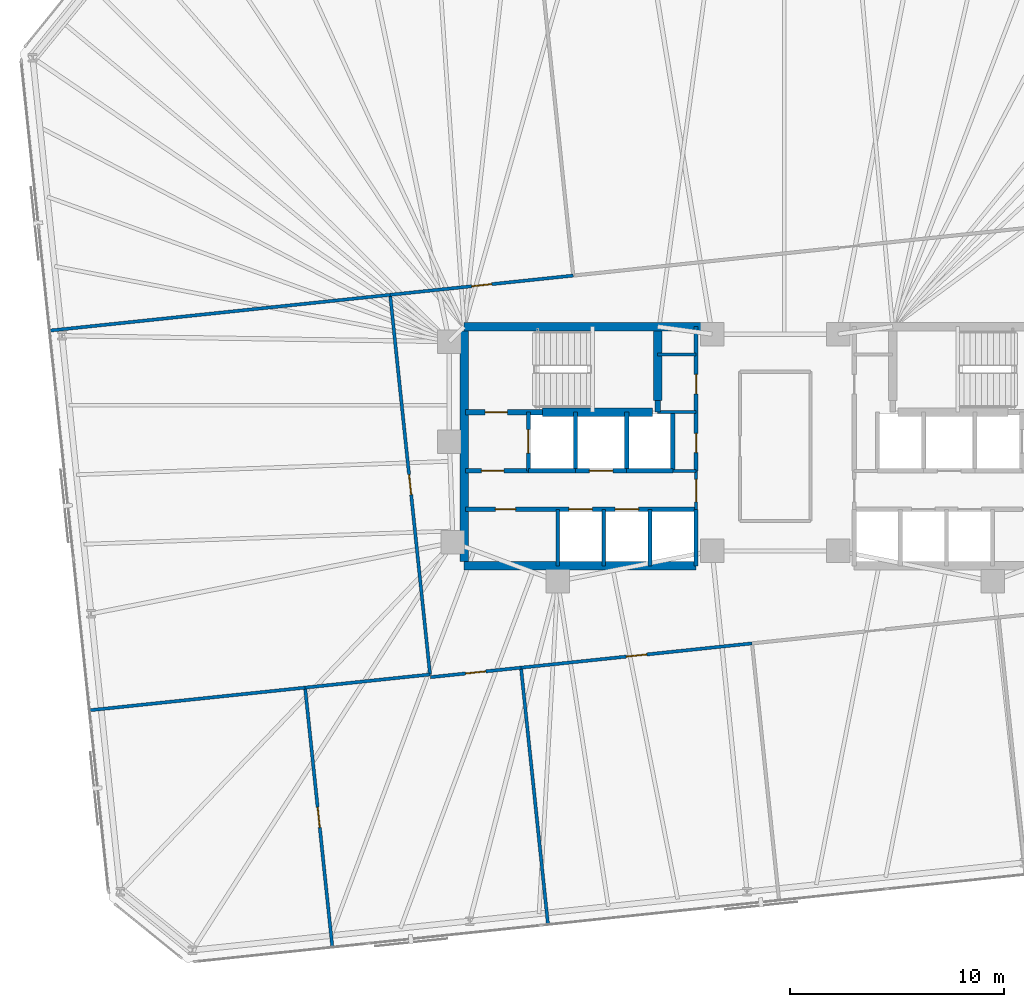
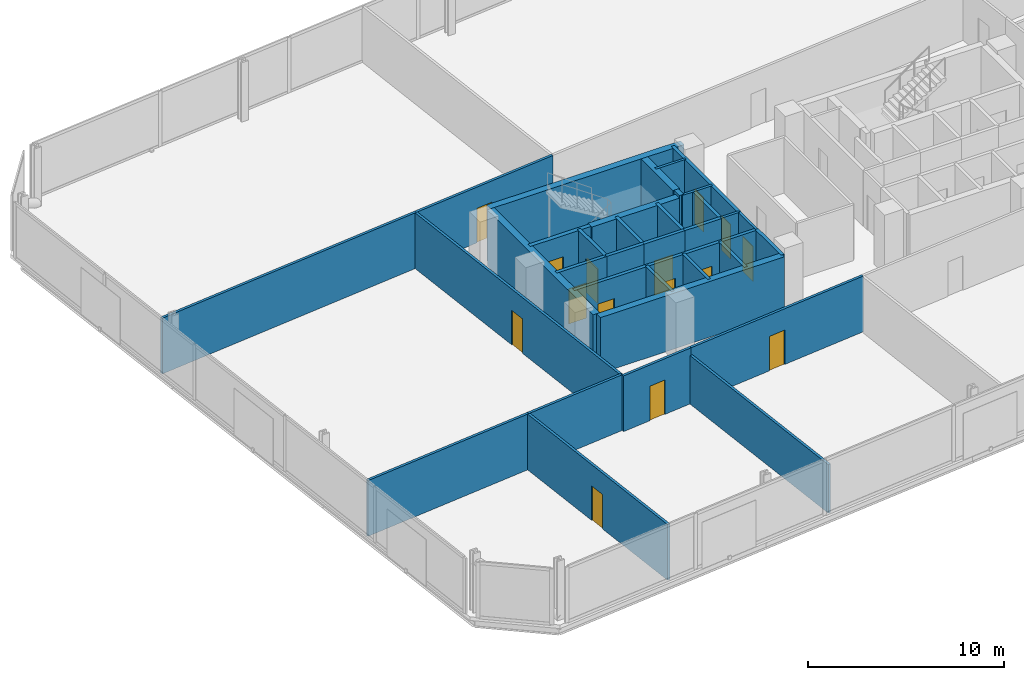
# One storey, part 14 of 18: 34 walls, 15 doors, 15 openings.
"""IFC4 building model written with IfcOpenShell, lengths in metres."""

from ifc_helpers import new_model, si_unit, direction, frame, frame_2d, origin, place, context, subcontext, project, spatial, rectangle, extrude, material, layer, layer_set, type_object, element, fill, save


model = new_model("IFC4")

# Units and contexts
model_context = context("Model", 3, precision=1e-05, world=origin(), true_north=direction((0.0, 1.0)))
body_context = subcontext(model_context, "Body", "Model", "MODEL_VIEW")
ifc_project = project(units=[si_unit("LENGTHUNIT", "METRE"), si_unit("AREAUNIT", "SQUARE_METRE"), si_unit("VOLUMEUNIT", "CUBIC_METRE"), si_unit("PLANEANGLEUNIT", "RADIAN"), si_unit("MASSUNIT", "GRAM", prefix="KILO")], contexts=[model_context])

# Site, building, storey
site_placement = place(None, origin())
site = spatial("IfcSite", under=ifc_project, at=site_placement, CompositionType="ELEMENT")
building_placement = place(site_placement, origin())
building = spatial("IfcBuilding", under=site, at=building_placement, Name="Menara Jurai Vektor", CompositionType="ELEMENT")
storey_placement = place(building_placement, frame((0.0, 0.0, 124.39990234375)))
storey = spatial("IfcBuildingStorey", under=building, at=storey_placement, Name="L31", CompositionType="ELEMENT", Elevation=124.39990234375)

# Wall, opening, door
ifc_material_1 = material(Name="Concrete C40/50", Category="concrete")
ifc_layer_1 = layer(ifc_material_1, 0.25)
ifc_layer_set_1 = layer_set([ifc_layer_1], Name="Concrete C40/50")
wall_type_1 = type_object("IfcWallType", Name="INT-WALL-CORE-250", PredefinedType="STANDARD", material=ifc_layer_set_1)
wall_1_placement = place(storey_placement, frame((-14.5, 1.60009765625, 0.0), z_axis=(0.0, 0.0, 1.0), x_axis=(1.0, 0.0, 0.0)))
wall_1 = element("IfcWall", 1, at=wall_1_placement, inside=storey, type_object=wall_type_1, Name="Interior Wall IW-250 L31", PredefinedType="STANDARD", context=body_context, shape_type="SweptSolid", body=[
    extrude(rectangle(XDim=3.60009765625, YDim=0.25, at=frame_2d((1.800048828125, 0.0))), origin(), (0.0, 0.0, 1.0), 3.47509765625),
])
opening_1_placement = place(wall_1_placement, frame((0.919921875, 0.0, 0.0)))
opening_1 = element("IfcOpeningElement", 2, at=opening_1_placement, cuts=wall_1, Name="Opening D-L31-ST1", PredefinedType="OPENING", context=body_context, shape_type="SweptSolid", body=[
    extrude(rectangle(XDim=1.050048828125, YDim=2.14990234375, at=frame_2d((0.52490234375, 1.074951171875))), frame((0.0, 0.135009765625, 0.0), z_axis=(0.0, -1.0, 0.0), x_axis=(1.0, 0.0, 0.0)), (0.0, 0.0, 1.0), 0.27001953125),
])
ifc_material_2 = material(Name="Fire-Rated Steel Door", Category="steel")
door_type_1 = type_object("IfcDoorType", Name="DR-STAIR-1050", OperationType="NOTDEFINED", PredefinedType="DOOR", material=ifc_material_2)
door_1_placement = place(opening_1_placement, origin())
door_1 = element("IfcDoor", 3, at=door_1_placement, inside=storey, type_object=door_type_1, Name="Exit Stair ST1 Door L31", OperationType="SINGLE_SWING_RIGHT", OverallHeight=2.14990234375, OverallWidth=1.050048828125, PredefinedType="DOOR", context=body_context, shape_type="SweptSolid", body=[
    extrude(rectangle(XDim=1.050048828125, YDim=2.14990234375, at=frame_2d((0.52490234375, 1.074951171875))), frame((0.0, 0.02490234375, 0.0), z_axis=(0.0, -1.0, 0.0), x_axis=(1.0, 0.0, 0.0)), (0.0, 0.0, 1.0), 0.050048828125),
])
fill(opening_1, door_1)

# Wall
wall_2_placement = place(storey_placement, frame((-5.5, 1.60009765625, 0.0), z_axis=(0.0, 0.0, 1.0), x_axis=(0.0, 1.0, 0.0)))
element("IfcWall", 4, at=wall_2_placement, inside=storey, type_object=wall_type_1, Name="Interior Wall IW-250 L31", PredefinedType="STANDARD", context=body_context, shape_type="SweptSolid", body=[
    extrude(rectangle(XDim=0.5498046875, YDim=0.25, at=frame_2d((0.27490234375, 0.0))), origin(), (0.0, 0.0, 1.0), 3.47509765625),
])

# Wall, opening, door
wall_3_placement = place(storey_placement, frame((-11.550048828125, -1.14990234375, 0.0), z_axis=(0.0, 0.0, 1.0), x_axis=(0.0, 1.0, 0.0)))
wall_3 = element("IfcWall", 5, at=wall_3_placement, inside=storey, type_object=wall_type_1, Name="Interior Wall IW-250 L31", PredefinedType="STANDARD", context=body_context, shape_type="SweptSolid", body=[
    extrude(rectangle(XDim=2.75, YDim=0.199951171875, at=frame_2d((1.375, 0.0))), origin(), (0.0, 0.0, 1.0), 3.47509765625),
])
opening_2_placement = place(wall_3_placement, frame((0.824951171875, 0.0, 0.0)))
opening_2 = element("IfcOpeningElement", 6, at=opening_2_placement, cuts=wall_3, Name="Opening LD-L31-FL1", PredefinedType="OPENING", context=body_context, shape_type="SweptSolid", body=[
    extrude(rectangle(XDim=1.10009765625, YDim=2.14990234375, at=frame_2d((0.550048828125, 1.074951171875))), frame((0.0, 0.10986328125, 0.0), z_axis=(0.0, -1.0, 0.0), x_axis=(1.0, 0.0, 0.0)), (0.0, 0.0, 1.0), 0.219970703125),
])
ifc_material_3 = material(Name="Stainless Steel Sliding Lift Landing Door", Category="steel")
door_type_2 = type_object("IfcDoorType", Name="DR-LIFT-FIRE-1100", OperationType="NOTDEFINED", PredefinedType="DOOR", material=ifc_material_3)
door_2_placement = place(opening_2_placement, origin())
door_2 = element("IfcDoor", 7, at=door_2_placement, inside=storey, type_object=door_type_2, Name="Lift Landing Door FL1 L31", OperationType="SLIDING_TO_RIGHT", OverallHeight=2.14990234375, OverallWidth=1.10009765625, PredefinedType="DOOR", context=body_context, shape_type="SweptSolid", body=[
    extrude(rectangle(XDim=1.10009765625, YDim=2.14990234375, at=frame_2d((0.550048828125, 1.074951171875))), frame((0.0, 0.02490234375, 0.0), z_axis=(0.0, -1.0, 0.0), x_axis=(1.0, 0.0, 0.0)), (0.0, 0.0, 1.0), 0.050048828125),
])
fill(opening_2, door_2)

# Wall
wall_4_placement = place(storey_placement, frame((-9.35009765625, -1.14990234375, 0.0), z_axis=(0.0, 0.0, 1.0), x_axis=(0.0, 1.0, 0.0)))
element("IfcWall", 8, at=wall_4_placement, inside=storey, type_object=wall_type_1, Name="Interior Wall IW-250 L31", PredefinedType="STANDARD", context=body_context, shape_type="SweptSolid", body=[
    extrude(rectangle(XDim=2.75, YDim=0.199951171875, at=frame_2d((1.375, 0.0))), origin(), (0.0, 0.0, 1.0), 3.47509765625),
])

# Wall, opening, door
wall_5_placement = place(storey_placement, frame((-14.5, -1.14990234375, 0.0), z_axis=(0.0, 0.0, 1.0), x_axis=(1.0, 0.0, 0.0)))
wall_5 = element("IfcWall", 9, at=wall_5_placement, inside=storey, type_object=wall_type_1, Name="Interior Wall IW-250 L31", PredefinedType="STANDARD", context=body_context, shape_type="SweptSolid", body=[
    extrude(rectangle(XDim=2.949951171875, YDim=0.199951171875, at=frame_2d((1.47509765625, 0.0))), origin(), (0.0, 0.0, 1.0), 3.47509765625),
])
opening_3_placement = place(wall_5_placement, frame((0.75, 0.0, 0.0)))
opening_3 = element("IfcOpeningElement", 10, at=opening_3_placement, cuts=wall_5, Name="Opening D-L31-FFW", PredefinedType="OPENING", context=body_context, shape_type="SweptSolid", body=[
    extrude(rectangle(XDim=1.050048828125, YDim=2.179931640625, at=frame_2d((0.52490234375, 1.08984375))), frame((0.0, 0.10986328125, 0.0), z_axis=(0.0, -1.0, 0.0), x_axis=(1.0, 0.0, 0.0)), (0.0, 0.0, 1.0), 0.219970703125),
])
ifc_material_4 = material(Name="Fire-Rated Timber Door", Category="wood")
door_type_3 = type_object("IfcDoorType", Name="DR-LOBBY-1050", OperationType="NOTDEFINED", PredefinedType="DOOR", material=ifc_material_4)
door_3_placement = place(opening_3_placement, origin())
door_3 = element("IfcDoor", 11, at=door_3_placement, inside=storey, type_object=door_type_3, Name="Fire Lift Lobby Door W L31", OperationType="SINGLE_SWING_RIGHT", OverallHeight=2.179931640625, OverallWidth=1.050048828125, PredefinedType="DOOR", context=body_context, shape_type="SweptSolid", body=[
    extrude(rectangle(XDim=1.050048828125, YDim=2.179931640625, at=frame_2d((0.52490234375, 1.08984375))), frame((0.0, 0.02490234375, 0.0), z_axis=(0.0, -1.0, 0.0), x_axis=(1.0, 0.0, 0.0)), (0.0, 0.0, 1.0), 0.050048828125),
])
fill(opening_3, door_3)

# Wall
wall_6_placement = place(storey_placement, frame((-11.550048828125, -1.14990234375, 0.0), z_axis=(0.0, 0.0, 1.0), x_axis=(1.0, 0.0, 0.0)))
element("IfcWall", 12, at=wall_6_placement, inside=storey, type_object=wall_type_1, Name="Interior Wall IW-250 L31", PredefinedType="STANDARD", context=body_context, shape_type="SweptSolid", body=[
    extrude(rectangle(XDim=2.199951171875, YDim=0.199951171875, at=frame_2d((1.10009765625, 0.0))), origin(), (0.0, 0.0, 1.0), 3.47509765625),
])

# Wall, opening, door
ifc_material_5 = material(Name="Gypsum Fireboard Partition", Category="gypsum")
ifc_layer_2 = layer(ifc_material_5, 0.14990234375)
ifc_layer_set_2 = layer_set([ifc_layer_2], Name="Gypsum Fireboard Partition")
wall_type_2 = type_object("IfcWallType", Name="INT-WALL-CORR-150", PredefinedType="PARTITIONING", material=ifc_layer_set_2)
wall_7_placement = place(storey_placement, frame((-3.699951171875, -2.949951171875, 0.0), z_axis=(0.0, 0.0, 1.0), x_axis=(0.0, 1.0, 0.0)))
wall_7 = element("IfcWall", 13, at=wall_7_placement, inside=storey, type_object=wall_type_2, Name="Interior Wall IW-150 L31", PredefinedType="PARTITIONING", context=body_context, shape_type="SweptSolid", body=[
    extrude(rectangle(XDim=1.800048828125, YDim=0.14990234375, at=frame_2d((0.89990234375, 0.0))), origin(), (0.0, 0.0, 1.0), 3.47509765625),
])
opening_4_placement = place(wall_7_placement, frame((0.35009765625, 0.0, 0.0)))
opening_4 = element("IfcOpeningElement", 14, at=opening_4_placement, cuts=wall_7, Name="Opening D-L31-LLW", PredefinedType="OPENING", context=body_context, shape_type="SweptSolid", body=[
    extrude(rectangle(XDim=1.050048828125, YDim=2.179931640625, at=frame_2d((0.52490234375, 1.08984375))), frame((0.0, 0.0849609375, 0.0), z_axis=(0.0, -1.0, 0.0), x_axis=(1.0, 0.0, 0.0)), (0.0, 0.0, 1.0), 0.169921875),
])
door_4_placement = place(opening_4_placement, origin())
door_4 = element("IfcDoor", 15, at=door_4_placement, inside=storey, type_object=door_type_3, Name="Lift Lobby Corridor Door W L31", OperationType="SINGLE_SWING_LEFT", OverallHeight=2.179931640625, OverallWidth=1.050048828125, PredefinedType="DOOR", context=body_context, shape_type="SweptSolid", body=[
    extrude(rectangle(XDim=1.050048828125, YDim=2.179931640625, at=frame_2d((0.52490234375, 1.08984375))), frame((0.0, 0.02490234375, 0.0), z_axis=(0.0, -1.0, 0.0), x_axis=(1.0, 0.0, 0.0)), (0.0, 0.0, 1.0), 0.050048828125),
])
fill(opening_4, door_4)

# Walls
wall_8_placement = place(storey_placement, frame((-4.7900390625, -1.14990234375, 0.0), z_axis=(0.0, 0.0, 1.0), x_axis=(1.0, 0.0, 0.0)))
element("IfcWall", 16, at=wall_8_placement, inside=storey, type_object=wall_type_2, Name="Interior Wall IW-150 L31", PredefinedType="PARTITIONING", context=body_context, shape_type="SweptSolid", body=[
    extrude(rectangle(XDim=1.090087890625, YDim=0.14990234375, at=frame_2d((0.544921875, 0.0))), origin(), (0.0, 0.0, 1.0), 3.47509765625),
])
for number, where, z_axis, x_axis, name in (
    (17, (-5.5, 4.300048828125, 0.0), (0.0, 0.0, 1.0), (1.0, 0.0, 0.0), "Interior Wall IW-150 L31"),
    (18, (-5.5, 1.60009765625, 0.0), (0.0, 0.0, 1.0), (1.0, 0.0, 0.0), "Interior Wall IW-150 L31"),
):
    element("IfcWall", number, at=place(storey_placement, frame(where, z_axis=z_axis, x_axis=x_axis)), inside=storey, type_object=wall_type_2, Name=name, PredefinedType="PARTITIONING", context=body_context, shape_type="SweptSolid", body=[
        extrude(rectangle(XDim=1.800048828125, YDim=0.14990234375, at=frame_2d((0.89990234375, 0.0))), origin(), (0.0, 0.0, 1.0), 3.47509765625),
    ])

# Wall, opening, door
wall_9_placement = place(storey_placement, frame((-18.021240234375, 7.09033203125, 0.0), z_axis=(0.0, 0.0, 1.0), x_axis=(0.994522981742, 0.104518126592, 0.0)))
wall_9 = element("IfcWall", 19, at=wall_9_placement, inside=storey, type_object=wall_type_2, Name="Interior Wall IW-150 L31", PredefinedType="PARTITIONING", context=body_context, shape_type="SweptSolid", body=[
    extrude(rectangle(XDim=8.616943359375, YDim=0.14990234375, at=frame_2d((4.30859375, 0.0))), origin(), (0.0, 0.0, 1.0), 3.47509765625),
])
opening_5_placement = place(wall_9_placement, frame((3.83349609375, 0.0, 0.0)))
opening_5 = element("IfcOpeningElement", 20, at=opening_5_placement, cuts=wall_9, Name="Opening D31-07", PredefinedType="OPENING", context=body_context, shape_type="SweptSolid", body=[
    extrude(rectangle(XDim=0.949951171875, YDim=2.14990234375, at=frame_2d((0.47509765625, 1.074951171875))), frame((0.0, 0.0849609375, 0.0), z_axis=(0.0, -1.0, 0.0), x_axis=(1.0, 0.0, 0.0)), (0.0, 0.0, 1.0), 0.169921875),
])
ifc_material_6 = material(Name="Solid Core Timber Fire Door", Category="wood")
door_type_4 = type_object("IfcDoorType", Name="DR-ENTRY-950", OperationType="NOTDEFINED", PredefinedType="DOOR", material=ifc_material_6)
door_5_placement = place(opening_5_placement, origin())
door_5 = element("IfcDoor", 21, at=door_5_placement, inside=storey, type_object=door_type_4, Name="Interior Door D31-07", OperationType="SINGLE_SWING_RIGHT", OverallHeight=2.14990234375, OverallWidth=0.949951171875, PredefinedType="DOOR", context=body_context, shape_type="SweptSolid", body=[
    extrude(rectangle(XDim=0.949951171875, YDim=2.14990234375, at=frame_2d((0.47509765625, 1.074951171875))), frame((0.0, 0.02490234375, 0.0), z_axis=(0.0, -1.0, 0.0), x_axis=(1.0, 0.0, 0.0)), (0.0, 0.0, 1.0), 0.050048828125),
])
fill(opening_5, door_5)

wall_10_placement = place(storey_placement, frame((-16.139892578125, -10.80908203125, 0.0), z_axis=(0.0, 0.0, 1.0), x_axis=(0.994520805081, 0.104538836136, 0.0)))
wall_10 = element("IfcWall", 22, at=wall_10_placement, inside=storey, type_object=wall_type_2, Name="Interior Wall IW-150 L31", PredefinedType="PARTITIONING", context=body_context, shape_type="SweptSolid", body=[
    extrude(rectangle(XDim=4.266845703125, YDim=0.14990234375, at=frame_2d((2.13330078125, 0.0))), origin(), (0.0, 0.0, 1.0), 3.47509765625),
])
opening_6_placement = place(wall_10_placement, frame((1.658447265625, 0.0, 0.0)))
opening_6 = element("IfcOpeningElement", 23, at=opening_6_placement, cuts=wall_10, Name="Opening D31-09", PredefinedType="OPENING", context=body_context, shape_type="SweptSolid", body=[
    extrude(rectangle(XDim=0.949951171875, YDim=2.14990234375, at=frame_2d((0.47509765625, 1.074951171875))), frame((0.0, 0.0849609375, 0.0), z_axis=(0.0, -1.0, 0.0), x_axis=(1.0, 0.0, 0.0)), (0.0, 0.0, 1.0), 0.169921875),
])
door_6_placement = place(opening_6_placement, origin())
door_6 = element("IfcDoor", 24, at=door_6_placement, inside=storey, type_object=door_type_4, Name="Interior Door D31-09", OperationType="SINGLE_SWING_RIGHT", OverallHeight=2.14990234375, OverallWidth=0.949951171875, PredefinedType="DOOR", context=body_context, shape_type="SweptSolid", body=[
    extrude(rectangle(XDim=0.949951171875, YDim=2.14990234375, at=frame_2d((0.47509765625, 1.074951171875))), frame((0.0, 0.02490234375, 0.0), z_axis=(0.0, -1.0, 0.0), x_axis=(1.0, 0.0, 0.0)), (0.0, 0.0, 1.0), 0.050048828125),
])
fill(opening_6, door_6)

wall_11_placement = place(storey_placement, frame((-11.896484375, -10.363037109375, 0.0), z_axis=(0.0, 0.0, 1.0), x_axis=(0.994522169869, 0.104525851533, 0.0)))
wall_11 = element("IfcWall", 25, at=wall_11_placement, inside=storey, type_object=wall_type_2, Name="Interior Wall IW-150 L31", PredefinedType="PARTITIONING", context=body_context, shape_type="SweptSolid", body=[
    extrude(rectangle(XDim=10.875, YDim=0.14990234375, at=frame_2d((5.4375, 0.0))), origin(), (0.0, 0.0, 1.0), 3.47509765625),
])
opening_7_placement = place(wall_11_placement, frame((4.96240234375, 0.0, 0.0)))
opening_7 = element("IfcOpeningElement", 26, at=opening_7_placement, cuts=wall_11, Name="Opening D31-10", PredefinedType="OPENING", context=body_context, shape_type="SweptSolid", body=[
    extrude(rectangle(XDim=0.949951171875, YDim=2.14990234375, at=frame_2d((0.47509765625, 1.074951171875))), frame((0.0, 0.0849609375, 0.0), z_axis=(0.0, -1.0, 0.0), x_axis=(1.0, 0.0, 0.0)), (0.0, 0.0, 1.0), 0.169921875),
])
door_7_placement = place(opening_7_placement, origin())
door_7 = element("IfcDoor", 27, at=door_7_placement, inside=storey, type_object=door_type_4, Name="Interior Door D31-10", OperationType="SINGLE_SWING_LEFT", OverallHeight=2.14990234375, OverallWidth=0.949951171875, PredefinedType="DOOR", context=body_context, shape_type="SweptSolid", body=[
    extrude(rectangle(XDim=0.949951171875, YDim=2.14990234375, at=frame_2d((0.47509765625, 1.074951171875))), frame((0.0, 0.02490234375, 0.0), z_axis=(0.0, -1.0, 0.0), x_axis=(1.0, 0.0, 0.0)), (0.0, 0.0, 1.0), 0.050048828125),
])
fill(opening_7, door_7)

wall_12_placement = place(storey_placement, frame((-16.1533203125, -10.681884765625, 0.0), z_axis=(0.0, 0.0, 1.0), x_axis=(-0.104527614588, 0.994521984568, 0.0)))
wall_12 = element("IfcWall", 28, at=wall_12_placement, inside=storey, type_object=wall_type_2, Name="Interior Wall IW-150 L31", PredefinedType="PARTITIONING", context=body_context, shape_type="SweptSolid", body=[
    extrude(rectangle(XDim=17.8701171875, YDim=0.14990234375, at=frame_2d((8.93505859375, 0.0))), origin(), (0.0, 0.0, 1.0), 3.47509765625),
])
opening_8_placement = place(wall_12_placement, frame((8.4599609375, 0.0, 0.0)))
opening_8 = element("IfcOpeningElement", 29, at=opening_8_placement, cuts=wall_12, Name="Opening D31-13", PredefinedType="OPENING", context=body_context, shape_type="SweptSolid", body=[
    extrude(rectangle(XDim=0.949951171875, YDim=2.14990234375, at=frame_2d((0.47509765625, 1.074951171875))), frame((0.0, 0.0849609375, 0.0), z_axis=(0.0, -1.0, 0.0), x_axis=(1.0, 0.0, 0.0)), (0.0, 0.0, 1.0), 0.169921875),
])
door_8_placement = place(opening_8_placement, origin())
door_8 = element("IfcDoor", 30, at=door_8_placement, inside=storey, type_object=door_type_4, Name="Interior Door D31-13", OperationType="SINGLE_SWING_RIGHT", OverallHeight=2.14990234375, OverallWidth=0.949951171875, PredefinedType="DOOR", context=body_context, shape_type="SweptSolid", body=[
    extrude(rectangle(XDim=0.949951171875, YDim=2.14990234375, at=frame_2d((0.47509765625, 1.074951171875))), frame((0.0, 0.02490234375, 0.0), z_axis=(0.0, -1.0, 0.0), x_axis=(1.0, 0.0, 0.0)), (0.0, 0.0, 1.0), 0.050048828125),
])
fill(opening_8, door_8)

# Wall
wall_13_placement = place(storey_placement, frame((-33.966552734375, 5.414306640625, 0.0), z_axis=(0.0, 0.0, 1.0), x_axis=(0.994521211213, 0.104534972363, 0.0)))
element("IfcWall", 31, at=wall_13_placement, inside=storey, type_object=wall_type_2, Name="Interior Wall IW-150 L31", PredefinedType="PARTITIONING", context=body_context, shape_type="SweptSolid", body=[
    extrude(rectangle(XDim=16.033203125, YDim=0.14990234375, at=frame_2d((8.0166015625, 0.0))), origin(), (0.0, 0.0, 1.0), 3.47509765625),
])

# Wall, opening, door
wall_14_placement = place(storey_placement, frame((-20.726806640625, -23.45068359375, 0.0), z_axis=(0.0, 0.0, 1.0), x_axis=(-0.104522554453, 0.994522516392, 0.0)))
wall_14 = element("IfcWall", 32, at=wall_14_placement, inside=storey, type_object=wall_type_2, Name="Interior Wall IW-150 L31", PredefinedType="PARTITIONING", context=body_context, shape_type="SweptSolid", body=[
    extrude(rectangle(XDim=12.220703125, YDim=0.14990234375, at=frame_2d((6.1103515625, 0.0))), origin(), (0.0, 0.0, 1.0), 3.47509765625),
])
opening_9_placement = place(wall_14_placement, frame((5.635498046875, 0.0, 0.0)))
opening_9 = element("IfcOpeningElement", 33, at=opening_9_placement, cuts=wall_14, Name="Opening D31-17", PredefinedType="OPENING", context=body_context, shape_type="SweptSolid", body=[
    extrude(rectangle(XDim=0.949951171875, YDim=2.14990234375, at=frame_2d((0.47509765625, 1.074951171875))), frame((0.0, 0.0849609375, 0.0), z_axis=(0.0, -1.0, 0.0), x_axis=(1.0, 0.0, 0.0)), (0.0, 0.0, 1.0), 0.169921875),
])
door_9_placement = place(opening_9_placement, origin())
door_9 = element("IfcDoor", 34, at=door_9_placement, inside=storey, type_object=door_type_4, Name="Interior Door D31-17", OperationType="SINGLE_SWING_RIGHT", OverallHeight=2.14990234375, OverallWidth=0.949951171875, PredefinedType="DOOR", context=body_context, shape_type="SweptSolid", body=[
    extrude(rectangle(XDim=0.949951171875, YDim=2.14990234375, at=frame_2d((0.47509765625, 1.074951171875))), frame((0.0, 0.02490234375, 0.0), z_axis=(0.0, -1.0, 0.0), x_axis=(1.0, 0.0, 0.0)), (0.0, 0.0, 1.0), 0.050048828125),
])
fill(opening_9, door_9)

# Walls
wall_15_placement = place(storey_placement, frame((-32.0986328125, -12.357666015625, 0.0), z_axis=(0.0, 0.0, 1.0), x_axis=(0.994523757593, 0.104510743869, 0.0)))
element("IfcWall", 35, at=wall_15_placement, inside=storey, type_object=wall_type_2, Name="Interior Wall IW-150 L31", PredefinedType="PARTITIONING", context=body_context, shape_type="SweptSolid", body=[
    extrude(rectangle(XDim=10.150146484375, YDim=0.14990234375, at=frame_2d((5.0751953125, 0.0))), origin(), (0.0, 0.0, 1.0), 3.47509765625),
])
wall_16_placement = place(storey_placement, frame((-22.004150390625, -11.296875, 0.0), z_axis=(0.0, 0.0, 1.0), x_axis=(0.994521131746, 0.10453572839, 0.0)))
element("IfcWall", 36, at=wall_16_placement, inside=storey, type_object=wall_type_2, Name="Interior Wall IW-150 L31", PredefinedType="PARTITIONING", context=body_context, shape_type="SweptSolid", body=[
    extrude(rectangle(XDim=5.883056640625, YDim=0.14990234375, at=frame_2d((2.94140625, 0.0))), origin(), (0.0, 0.0, 1.0), 3.47509765625),
])
ifc_layer_3 = layer(ifc_material_5, 0.14990234375)
ifc_layer_set_3 = layer_set([ifc_layer_3], Name="Gypsum Fireboard Partition")
wall_type_3 = type_object("IfcWallType", Name="INT-WALL-CORR-150-H1", PredefinedType="PARTITIONING", material=ifc_layer_set_3)
wall_17_placement = place(storey_placement, frame((-10.63232421875, -22.389892578125, 0.0), z_axis=(0.0, 0.0, 1.0), x_axis=(-0.104535555083, 0.994521149963, 0.0)))
element("IfcWall", 37, at=wall_17_placement, inside=storey, type_object=wall_type_3, Name="Interior Wall IW-150 L31", PredefinedType="PARTITIONING", context=body_context, shape_type="SweptSolid", body=[
    extrude(rectangle(XDim=12.093017578125, YDim=0.14990234375, at=frame_2d((6.04638671875, 0.0))), origin(), (0.0, 0.0, 1.0), 3.025146484375),
])

# Wall, openings, doors
ifc_layer_4 = layer(ifc_material_1, 0.199951171875)
ifc_layer_set_4 = layer_set([ifc_layer_4], Name="Concrete C40/50")
wall_type_4 = type_object("IfcWallType", Name="INT-WALL-SHAFT-200", PredefinedType="STANDARD", material=ifc_layer_set_4)
wall_18_placement = place(storey_placement, frame((-3.699951171875, -1.14990234375, 0.0), z_axis=(0.0, 0.0, 1.0), x_axis=(0.0, 1.0, 0.0)))
wall_18 = element("IfcWall", 38, at=wall_18_placement, inside=storey, type_object=wall_type_4, Name="Interior Wall IW-200 L31", PredefinedType="STANDARD", context=body_context, shape_type="SweptSolid", body=[
    extrude(rectangle(XDim=6.75, YDim=0.199951171875, at=frame_2d((3.375, 0.0))), origin(), (0.0, 0.0, 1.0), 3.47509765625),
])
opening_10_placement = place(wall_18_placement, frame((3.60009765625, 0.0, 0.0)))
opening_10 = element("IfcOpeningElement", 39, at=opening_10_placement, cuts=wall_18, Name="Opening D31-02", PredefinedType="OPENING", context=body_context, shape_type="SweptSolid", body=[
    extrude(rectangle(XDim=0.919921875, YDim=2.14990234375, at=frame_2d((0.4599609375, 1.074951171875))), frame((0.0, 0.10986328125, 0.0), z_axis=(0.0, -1.0, 0.0), x_axis=(1.0, 0.0, 0.0)), (0.0, 0.0, 1.0), 0.219970703125),
])
opening_11_placement = place(wall_18_placement, frame((0.85009765625, 0.0, 0.0)))
opening_11 = element("IfcOpeningElement", 40, at=opening_11_placement, cuts=wall_18, Name="Opening D31-03", PredefinedType="OPENING", context=body_context, shape_type="SweptSolid", body=[
    extrude(rectangle(XDim=0.89990234375, YDim=2.14990234375, at=frame_2d((0.449951171875, 1.074951171875))), frame((0.0, 0.10986328125, 0.0), z_axis=(0.0, -1.0, 0.0), x_axis=(1.0, 0.0, 0.0)), (0.0, 0.0, 1.0), 0.219970703125),
])
door_10_placement = place(opening_10_placement, origin())
door_10 = element("IfcDoor", 41, at=door_10_placement, inside=storey, type_object=door_type_4, Name="Interior Door D31-02", OperationType="SINGLE_SWING_LEFT", OverallHeight=2.14990234375, OverallWidth=0.919921875, PredefinedType="DOOR", context=body_context, shape_type="SweptSolid", body=[
    extrude(rectangle(XDim=0.919921875, YDim=2.14990234375, at=frame_2d((0.4599609375, 1.074951171875))), frame((0.0, 0.02490234375, 0.0), z_axis=(0.0, -1.0, 0.0), x_axis=(1.0, 0.0, 0.0)), (0.0, 0.0, 1.0), 0.050048828125),
])
fill(opening_10, door_10)
door_11_placement = place(opening_11_placement, origin())
door_11 = element("IfcDoor", 42, at=door_11_placement, inside=storey, type_object=door_type_4, Name="Interior Door D31-03", OperationType="SINGLE_SWING_LEFT", OverallHeight=2.14990234375, OverallWidth=0.89990234375, PredefinedType="DOOR", context=body_context, shape_type="SweptSolid", body=[
    extrude(rectangle(XDim=0.89990234375, YDim=2.14990234375, at=frame_2d((0.449951171875, 1.074951171875))), frame((0.0, 0.02490234375, 0.0), z_axis=(0.0, -1.0, 0.0), x_axis=(1.0, 0.0, 0.0)), (0.0, 0.0, 1.0), 0.050048828125),
])
fill(opening_11, door_11)

# Walls
wall_19_placement = place(storey_placement, frame((-3.699951171875, -5.60009765625, 0.0), z_axis=(0.0, 0.0, 1.0), x_axis=(0.0, 1.0, 0.0)))
element("IfcWall", 43, at=wall_19_placement, inside=storey, type_object=wall_type_4, Name="Interior Wall IW-200 L31", PredefinedType="STANDARD", context=body_context, shape_type="SweptSolid", body=[
    extrude(rectangle(XDim=2.650146484375, YDim=0.199951171875, at=frame_2d((1.3251953125, 0.0))), origin(), (0.0, 0.0, 1.0), 3.47509765625),
])
wall_20_placement = place(storey_placement, frame((-6.949951171875, -1.14990234375, 0.0), z_axis=(0.0, 0.0, 1.0), x_axis=(0.0, 1.0, 0.0)))
element("IfcWall", 44, at=wall_20_placement, inside=storey, type_object=wall_type_4, Name="Interior Wall IW-200 L31", PredefinedType="STANDARD", context=body_context, shape_type="SweptSolid", body=[
    extrude(rectangle(XDim=2.75, YDim=0.199951171875, at=frame_2d((1.375, 0.0))), origin(), (0.0, 0.0, 1.0), 3.47509765625),
])

# Wall, opening, door
wall_21_placement = place(storey_placement, frame((-9.35009765625, -1.14990234375, 0.0), z_axis=(0.0, 0.0, 1.0), x_axis=(1.0, 0.0, 0.0)))
wall_21 = element("IfcWall", 45, at=wall_21_placement, inside=storey, type_object=wall_type_4, Name="Interior Wall IW-200 L31", PredefinedType="STANDARD", context=body_context, shape_type="SweptSolid", body=[
    extrude(rectangle(XDim=2.400146484375, YDim=0.199951171875, at=frame_2d((1.2001953125, 0.0))), origin(), (0.0, 0.0, 1.0), 3.47509765625),
])
opening_12_placement = place(wall_21_placement, frame((0.64990234375, 0.0, 0.0)))
opening_12 = element("IfcOpeningElement", 46, at=opening_12_placement, cuts=wall_21, Name="Opening LD-L31-SVL1", PredefinedType="OPENING", context=body_context, shape_type="SweptSolid", body=[
    extrude(rectangle(XDim=1.10009765625, YDim=2.14990234375, at=frame_2d((0.550048828125, 1.074951171875))), frame((0.0, 0.10986328125, 0.0), z_axis=(0.0, -1.0, 0.0), x_axis=(1.0, 0.0, 0.0)), (0.0, 0.0, 1.0), 0.219970703125),
])
ifc_material_7 = material(Name="Anodised Stainless Sliding Lift Landing Door", Category="steel")
door_type_5 = type_object("IfcDoorType", Name="DR-LIFT-PASS-1100", OperationType="NOTDEFINED", PredefinedType="DOOR", material=ifc_material_7)
door_12_placement = place(opening_12_placement, origin())
door_12 = element("IfcDoor", 47, at=door_12_placement, inside=storey, type_object=door_type_5, Name="Lift Landing Door SVL1 L31", OperationType="SLIDING_TO_RIGHT", OverallHeight=2.14990234375, OverallWidth=1.10009765625, PredefinedType="DOOR", context=body_context, shape_type="SweptSolid", body=[
    extrude(rectangle(XDim=1.10009765625, YDim=2.14990234375, at=frame_2d((0.550048828125, 1.074951171875))), frame((0.0, 0.02490234375, 0.0), z_axis=(0.0, -1.0, 0.0), x_axis=(1.0, 0.0, 0.0)), (0.0, 0.0, 1.0), 0.050048828125),
])
fill(opening_12, door_12)

# Walls
wall_22_placement = place(storey_placement, frame((-4.7900390625, -1.14990234375, 0.0), z_axis=(0.0, 0.0, 1.0), x_axis=(0.0, 1.0, 0.0)))
element("IfcWall", 48, at=wall_22_placement, inside=storey, type_object=wall_type_4, Name="Interior Wall IW-200 L31", PredefinedType="STANDARD", context=body_context, shape_type="SweptSolid", body=[
    extrude(rectangle(XDim=2.75, YDim=0.199951171875, at=frame_2d((1.375, 0.0))), origin(), (0.0, 0.0, 1.0), 3.47509765625),
])
wall_23_placement = place(storey_placement, frame((-6.949951171875, -1.14990234375, 0.0), z_axis=(0.0, 0.0, 1.0), x_axis=(1.0, 0.0, 0.0)))
element("IfcWall", 49, at=wall_23_placement, inside=storey, type_object=wall_type_4, Name="Interior Wall IW-200 L31", PredefinedType="STANDARD", context=body_context, shape_type="SweptSolid", body=[
    extrude(rectangle(XDim=2.159912109375, YDim=0.199951171875, at=frame_2d((1.080078125, 0.0))), origin(), (0.0, 0.0, 1.0), 3.47509765625),
])

# Wall, openings, doors
wall_24_placement = place(storey_placement, frame((-14.5, -2.949951171875, 0.0), z_axis=(0.0, 0.0, 1.0), x_axis=(1.0, 0.0, 0.0)))
wall_24 = element("IfcWall", 50, at=wall_24_placement, inside=storey, type_object=wall_type_4, Name="Interior Wall IW-200 L31", PredefinedType="STANDARD", context=body_context, shape_type="SweptSolid", body=[
    extrude(rectangle(XDim=10.800048828125, YDim=0.199951171875, at=frame_2d((5.39990234375, 0.0))), origin(), (0.0, 0.0, 1.0), 3.47509765625),
])
opening_13_placement = place(wall_24_placement, frame((4.85009765625, 0.0, 0.0)))
opening_13 = element("IfcOpeningElement", 51, at=opening_13_placement, cuts=wall_24, Name="Opening LD-L31-PM1", PredefinedType="OPENING", context=body_context, shape_type="SweptSolid", body=[
    extrude(rectangle(XDim=1.10009765625, YDim=2.14990234375, at=frame_2d((0.550048828125, 1.074951171875))), frame((0.0, 0.10986328125, 0.0), z_axis=(0.0, -1.0, 0.0), x_axis=(1.0, 0.0, 0.0)), (0.0, 0.0, 1.0), 0.219970703125),
])
opening_14_placement = place(wall_24_placement, frame((7.010009765625, 0.0, 0.0)))
opening_14 = element("IfcOpeningElement", 52, at=opening_14_placement, cuts=wall_24, Name="Opening LD-L31-PM2", PredefinedType="OPENING", context=body_context, shape_type="SweptSolid", body=[
    extrude(rectangle(XDim=1.10009765625, YDim=2.14990234375, at=frame_2d((0.550048828125, 1.074951171875))), frame((0.0, 0.10986328125, 0.0), z_axis=(0.0, -1.0, 0.0), x_axis=(1.0, 0.0, 0.0)), (0.0, 0.0, 1.0), 0.219970703125),
])
opening_15_placement = place(wall_24_placement, frame((1.39990234375, 0.0, 0.0)))
opening_15 = element("IfcOpeningElement", 53, at=opening_15_placement, cuts=wall_24, Name="Opening D31-01", PredefinedType="OPENING", context=body_context, shape_type="SweptSolid", body=[
    extrude(rectangle(XDim=0.949951171875, YDim=2.14990234375, at=frame_2d((0.47509765625, 1.074951171875))), frame((0.0, 0.10986328125, 0.0), z_axis=(0.0, -1.0, 0.0), x_axis=(1.0, 0.0, 0.0)), (0.0, 0.0, 1.0), 0.219970703125),
])
door_13_placement = place(opening_15_placement, origin())
door_13 = element("IfcDoor", 54, at=door_13_placement, inside=storey, type_object=door_type_4, Name="Interior Door D31-01", OperationType="SINGLE_SWING_LEFT", OverallHeight=2.14990234375, OverallWidth=0.949951171875, PredefinedType="DOOR", context=body_context, shape_type="SweptSolid", body=[
    extrude(rectangle(XDim=0.949951171875, YDim=2.14990234375, at=frame_2d((0.47509765625, 1.074951171875))), frame((0.0, 0.02490234375, 0.0), z_axis=(0.0, -1.0, 0.0), x_axis=(1.0, 0.0, 0.0)), (0.0, 0.0, 1.0), 0.050048828125),
])
fill(opening_15, door_13)
door_14_placement = place(opening_13_placement, origin())
door_14 = element("IfcDoor", 55, at=door_14_placement, inside=storey, type_object=door_type_5, Name="Lift Landing Door PM1 L31", OperationType="SLIDING_TO_LEFT", OverallHeight=2.14990234375, OverallWidth=1.10009765625, PredefinedType="DOOR", context=body_context, shape_type="SweptSolid", body=[
    extrude(rectangle(XDim=1.10009765625, YDim=2.14990234375, at=frame_2d((0.550048828125, 1.074951171875))), frame((0.0, 0.02490234375, 0.0), z_axis=(0.0, -1.0, 0.0), x_axis=(1.0, 0.0, 0.0)), (0.0, 0.0, 1.0), 0.050048828125),
])
fill(opening_13, door_14)
door_15_placement = place(opening_14_placement, origin())
door_15 = element("IfcDoor", 56, at=door_15_placement, inside=storey, type_object=door_type_5, Name="Lift Landing Door PM2 L31", OperationType="SLIDING_TO_LEFT", OverallHeight=2.14990234375, OverallWidth=1.10009765625, PredefinedType="DOOR", context=body_context, shape_type="SweptSolid", body=[
    extrude(rectangle(XDim=1.10009765625, YDim=2.14990234375, at=frame_2d((0.550048828125, 1.074951171875))), frame((0.0, 0.02490234375, 0.0), z_axis=(0.0, -1.0, 0.0), x_axis=(1.0, 0.0, 0.0)), (0.0, 0.0, 1.0), 0.050048828125),
])
fill(opening_14, door_15)

# Walls
wall_25_placement = place(storey_placement, frame((-5.860107421875, -5.60009765625, 0.0), z_axis=(0.0, 0.0, 1.0), x_axis=(0.0, 1.0, 0.0)))
element("IfcWall", 57, at=wall_25_placement, inside=storey, type_object=wall_type_4, Name="Interior Wall IW-200 L31", PredefinedType="STANDARD", context=body_context, shape_type="SweptSolid", body=[
    extrude(rectangle(XDim=2.650146484375, YDim=0.199951171875, at=frame_2d((1.3251953125, 0.0))), origin(), (0.0, 0.0, 1.0), 3.47509765625),
])
for number, where, z_axis, x_axis, name in (
    (58, (-10.179931640625, -5.60009765625, 0.0), (0.0, 0.0, 1.0), (0.0, 1.0, 0.0), "Interior Wall IW-200 L31"),
    (59, (-8.02001953125, -5.60009765625, 0.0), (0.0, 0.0, 1.0), (0.0, 1.0, 0.0), "Interior Wall IW-200 L31"),
):
    element("IfcWall", number, at=place(storey_placement, frame(where, z_axis=z_axis, x_axis=x_axis)), inside=storey, type_object=wall_type_4, Name=name, PredefinedType="STANDARD", context=body_context, shape_type="SweptSolid", body=[
        extrude(rectangle(XDim=2.650146484375, YDim=0.179931640625, at=frame_2d((1.3251953125, 0.0))), origin(), (0.0, 0.0, 1.0), 3.47509765625),
    ])
ifc_material_8 = material(Name="Concrete C50/60", Category="concrete")
ifc_layer_5 = layer(ifc_material_8, 0.39990234375)
ifc_layer_set_5 = layer_set([ifc_layer_5], Name="Concrete C50/60")
wall_type_5 = type_object("IfcWallType", Name="STR-WALL-CORE400", PredefinedType="SHEAR", material=ifc_layer_set_5)
wall_26_placement = place(storey_placement, frame((-14.56005859375, 5.60009765625, 0.0), z_axis=(0.0, 0.0, 1.0), x_axis=(1.0, 0.0, 0.0)))
element("IfcWall", 60, at=wall_26_placement, inside=storey, type_object=wall_type_5, Name="Core Shear Wall CW-W-N L31", PredefinedType="SHEAR", context=body_context, shape_type="SweptSolid", body=[
    extrude(rectangle(XDim=11.41015625, YDim=0.39990234375, at=frame_2d((5.705078125, 0.0))), origin(), (0.0, 0.0, 1.0), 3.47509765625),
])
wall_27_placement = place(storey_placement, frame((-14.56005859375, -5.60009765625, 0.0), z_axis=(0.0, 0.0, 1.0), x_axis=(1.0, 0.0, 0.0)))
element("IfcWall", 61, at=wall_27_placement, inside=storey, type_object=wall_type_5, Name="Core Shear Wall CW-W-S L31", PredefinedType="SHEAR", context=body_context, shape_type="SweptSolid", body=[
    extrude(rectangle(XDim=10.860107421875, YDim=0.39990234375, at=frame_2d((5.43017578125, 0.0))), origin(), (0.0, 0.0, 1.0), 3.47509765625),
])
wall_28_placement = place(storey_placement, frame((-14.56005859375, -5.39990234375, 0.0), z_axis=(0.0, 0.0, 1.0), x_axis=(0.0, 1.0, 0.0)))
element("IfcWall", 62, at=wall_28_placement, inside=storey, type_object=wall_type_5, Name="Core Shear Wall CW-W-W L31", PredefinedType="SHEAR", context=body_context, shape_type="SweptSolid", body=[
    extrude(rectangle(XDim=10.7998046875, YDim=0.39990234375, at=frame_2d((5.39990234375, 0.0))), origin(), (0.0, 0.0, 1.0), 3.47509765625),
])
wall_29_placement = place(storey_placement, frame((-5.5, 2.14990234375, 0.0), z_axis=(0.0, 0.0, 1.0), x_axis=(0.0, 1.0, 0.0)))
element("IfcWall", 63, at=wall_29_placement, inside=storey, type_object=wall_type_5, Name="Core Shear Wall CW-W-ST L31", PredefinedType="SHEAR", context=body_context, shape_type="SweptSolid", body=[
    extrude(rectangle(XDim=3.25, YDim=0.39990234375, at=frame_2d((1.625, 0.0))), origin(), (0.0, 0.0, 1.0), 3.47509765625),
])
wall_30_placement = place(storey_placement, frame((-10.89990234375, 1.60009765625, 0.0), z_axis=(0.0, 0.0, 1.0), x_axis=(1.0, 0.0, 0.0)))
element("IfcWall", 64, at=wall_30_placement, inside=storey, type_object=wall_type_5, Name="Core Shear Wall CW-W-STS L31", PredefinedType="SHEAR", context=body_context, shape_type="SweptSolid", body=[
    extrude(rectangle(XDim=5.14990234375, YDim=0.39990234375, at=frame_2d((2.574951171875, 0.0))), origin(), (0.0, 0.0, 1.0), 3.47509765625),
])

save(model, "model.ifc")
